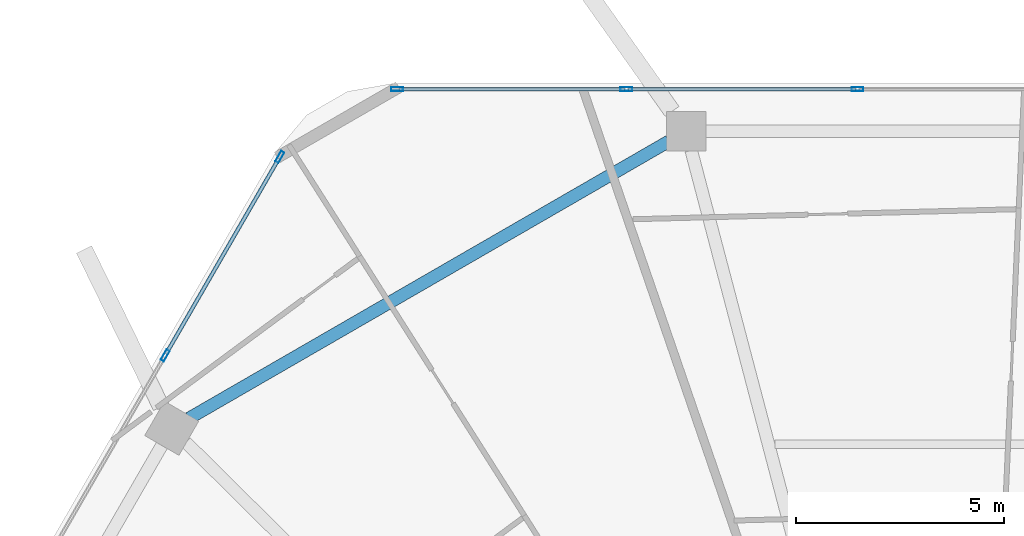
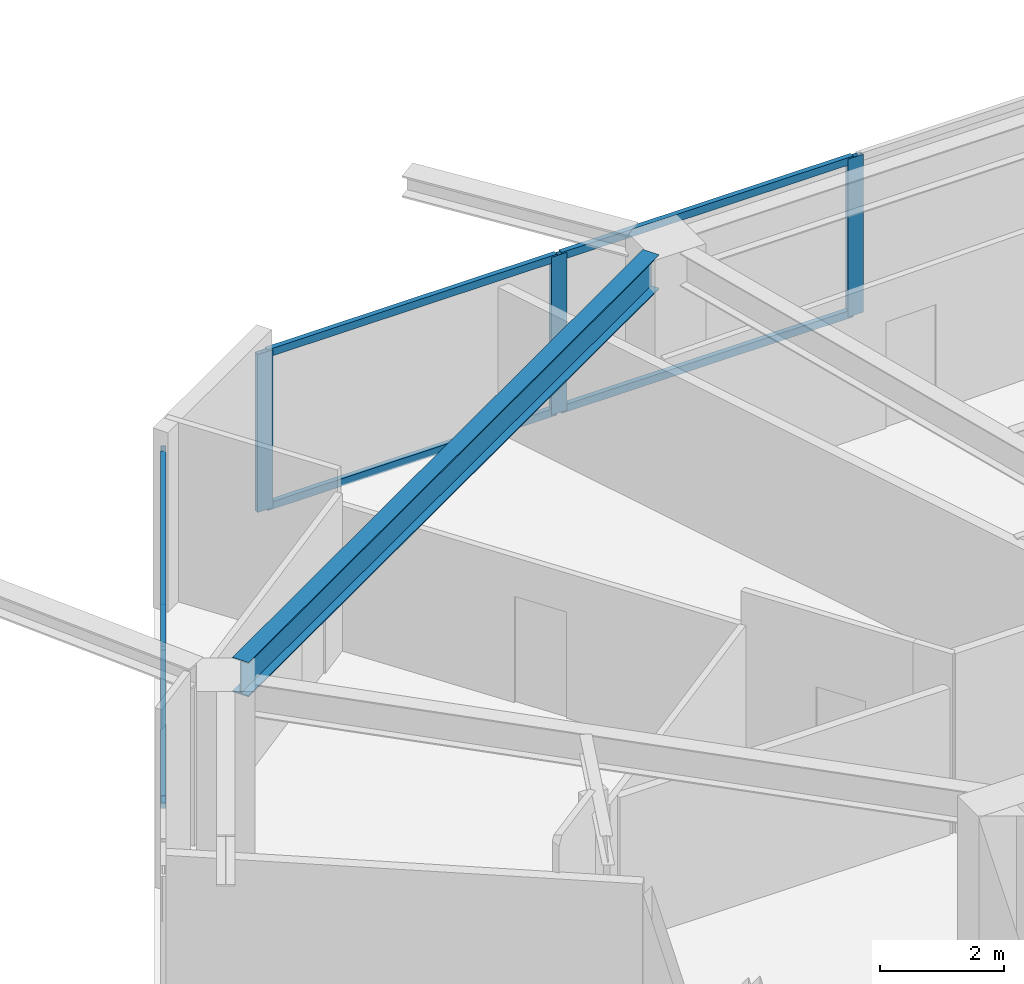
# One storey, part 13 of 26: 11 members, 1 beam, 2 elements without a shape of their own.
"""IFC4 building model written with IfcOpenShell, lengths in metres."""

from ifc_helpers import new_model, si_unit, direction, frame, origin, origin_2d, place, context, subcontext, project, spatial, hollow_rectangle, i_section, extrude, material, material_profile, profile_set, type_object, element, aggregate, save


model = new_model("IFC4")

# Units and contexts
model_context = context("Model", 3, precision=1e-05, world=origin(), true_north=direction((0.0, 1.0)))
body_context = subcontext(model_context, "Body", "Model", "MODEL_VIEW")
ifc_project = project(units=[si_unit("LENGTHUNIT", "METRE"), si_unit("AREAUNIT", "SQUARE_METRE"), si_unit("VOLUMEUNIT", "CUBIC_METRE"), si_unit("PLANEANGLEUNIT", "RADIAN"), si_unit("MASSUNIT", "GRAM", prefix="KILO")], contexts=[model_context])

# Site, building, storey
site_placement = place(None, origin())
site = spatial("IfcSite", under=ifc_project, at=site_placement, CompositionType="ELEMENT")
building_placement = place(site_placement, origin())
building = spatial("IfcBuilding", under=site, at=building_placement, Name="Zuhravey Tower", CompositionType="ELEMENT")
storey_placement = place(building_placement, frame((0.0, 0.0, 203.60009765625)))
storey = spatial("IfcBuildingStorey", under=building, at=storey_placement, Name="L51", CompositionType="ELEMENT", Elevation=203.60009765625)

# Curtain wall, members
ifc_material_1 = material(Name="Thermally broken anodised aluminium", Category="aluminium")
curtain_wall_type = type_object("IfcCurtainWallType", Name="Zone 1-2 Residential Curtain Wall CW3", PredefinedType="NOTDEFINED", material=ifc_material_1)
curtain_wall_1_placement = place(storey_placement, origin())
curtain_wall_1 = element("IfcCurtainWall", 1, at=curtain_wall_1_placement, inside=storey, type_object=curtain_wall_type, Name="L51 CW3 CW-L51-F3-1", PredefinedType="NOTDEFINED")
ifc_material_2 = material(Name="Anodised aluminium", Category="aluminium")
ifc_material_profile_1 = material_profile(ifc_material_2, hollow_rectangle(XDim=0.090087890625, YDim=0.284912109375, WallThickness=0.0048828125, at=origin_2d()), Name="ALU-RHS-90x285x5")
ifc_profile_set_1 = profile_set([ifc_material_profile_1], Name="Anodised aluminium")
member_type_1 = type_object("IfcMemberType", Name="Curtain-Wall Mullion 90x180", PredefinedType="MULLION", material=ifc_profile_set_1)
member_1_placement = place(storey_placement, frame((16.6171875, 52.7939453125, 0.0), z_axis=(0.0, 0.0, 1.0), x_axis=(-0.866025138215, 0.500000459979, 0.0)))
member_1 = element("IfcMember", 2, at=member_1_placement, type_object=member_type_1, Name="CW3 mullion 5", PredefinedType="MULLION", context=body_context, shape_type="SweptSolid", body=[
    extrude(hollow_rectangle(XDim=0.090087890625, YDim=0.284912109375, WallThickness=0.0048828125, at=origin_2d()), origin(), (0.0, 0.0, 1.0), 3.121826171875),
])
member_2_placement = place(storey_placement, frame((19.36669921875, 57.556640625, 0.0), z_axis=(0.0, 0.0, 1.0), x_axis=(-0.866025138215, 0.500000459979, 0.0)))
member_2 = element("IfcMember", 3, at=member_2_placement, type_object=member_type_1, Name="CW3 mullion 6", PredefinedType="MULLION", context=body_context, shape_type="SweptSolid", body=[
    extrude(hollow_rectangle(XDim=0.090087890625, YDim=0.284912109375, WallThickness=0.0048828125, at=origin_2d()), origin(), (0.0, 0.0, 1.0), 3.121826171875),
])

curtain_wall_2_placement = place(storey_placement, origin())
curtain_wall_2 = element("IfcCurtainWall", 4, at=curtain_wall_2_placement, inside=storey, type_object=curtain_wall_type, Name="L51 CW3 CW-L51-F2-1", PredefinedType="NOTDEFINED")
member_3_placement = place(storey_placement, frame((22.183837890625, 59.18310546875, 0.0), z_axis=(0.0, 0.0, 1.0), x_axis=(0.0, 1.0, 0.0)))
member_3 = element("IfcMember", 5, at=member_3_placement, type_object=member_type_1, Name="CW3 mullion 1", PredefinedType="MULLION", context=body_context, shape_type="SweptSolid", body=[
    extrude(hollow_rectangle(XDim=0.090087890625, YDim=0.284912109375, WallThickness=0.0048828125, at=origin_2d()), origin(), (0.0, 0.0, 1.0), 3.121826171875),
])
member_4_placement = place(storey_placement, frame((27.683349609375, 59.18310546875, 0.0), z_axis=(0.0, 0.0, 1.0), x_axis=(0.0, 1.0, 0.0)))
member_4 = element("IfcMember", 6, at=member_4_placement, type_object=member_type_1, Name="CW3 mullion 2", PredefinedType="MULLION", context=body_context, shape_type="SweptSolid", body=[
    extrude(hollow_rectangle(XDim=0.090087890625, YDim=0.284912109375, WallThickness=0.0048828125, at=origin_2d()), origin(), (0.0, 0.0, 1.0), 3.121826171875),
])
member_5_placement = place(storey_placement, frame((33.227783203125, 59.18310546875, 0.0), z_axis=(0.0, 0.0, 1.0), x_axis=(0.0, 1.0, 0.0)))
member_5 = element("IfcMember", 7, at=member_5_placement, type_object=member_type_1, Name="CW3 mullion 3", PredefinedType="MULLION", context=body_context, shape_type="SweptSolid", body=[
    extrude(hollow_rectangle(XDim=0.090087890625, YDim=0.284912109375, WallThickness=0.0048828125, at=origin_2d()), origin(), (0.0, 0.0, 1.0), 3.121826171875),
])

# Member
ifc_material_profile_2 = material_profile(ifc_material_2, hollow_rectangle(XDim=0.090087890625, YDim=0.14990234375, WallThickness=0.0048828125, at=origin_2d()), Name="ALU-RHS-90x150x5")
ifc_profile_set_2 = profile_set([ifc_material_profile_2], Name="Anodised aluminium")
member_type_2 = type_object("IfcMemberType", Name="Curtain-Wall Transom 90x150", PredefinedType="USERDEFINED", material=ifc_profile_set_2)
member_6_placement = place(storey_placement, frame((16.6396484375, 52.8330078125, 0.044921875), z_axis=(0.499993332629, 0.866029253159, 0.0), x_axis=(-0.866029253159, 0.499993332629, 0.0)))
member_6 = element("IfcMember", 8, at=member_6_placement, type_object=member_type_2, Name="CW3 transom 5.1", ObjectType="TRANSOM", PredefinedType="USERDEFINED", context=body_context, shape_type="SweptSolid", body=[
    extrude(hollow_rectangle(XDim=0.090087890625, YDim=0.14990234375, WallThickness=0.0048828125, at=origin_2d()), origin(), (0.0, 0.0, 1.0), 5.4091796875),
])

member_7_placement = place(storey_placement, frame((16.6396484375, 52.8330078125, 3.076904296875), z_axis=(0.499993332629, 0.866029253159, 0.0), x_axis=(-0.866029253159, 0.499993332629, 0.0)))
member_7 = element("IfcMember", 9, at=member_7_placement, type_object=member_type_2, Name="CW3 transom 5.2", ObjectType="TRANSOM", PredefinedType="USERDEFINED", context=body_context, shape_type="SweptSolid", body=[
    extrude(hollow_rectangle(XDim=0.090087890625, YDim=0.14990234375, WallThickness=0.0048828125, at=origin_2d()), origin(), (0.0, 0.0, 1.0), 5.4091796875),
])

aggregate(curtain_wall_1, [member_1, member_2, member_6, member_7])

member_8_placement = place(storey_placement, frame((22.22900390625, 59.18310546875, 0.044921875), z_axis=(1.0, 0.0, 0.0), x_axis=(0.0, 1.0, 0.0)))
member_8 = element("IfcMember", 10, at=member_8_placement, type_object=member_type_2, Name="CW3 transom 1.1", ObjectType="TRANSOM", PredefinedType="USERDEFINED", context=body_context, shape_type="SweptSolid", body=[
    extrude(hollow_rectangle(XDim=0.090087890625, YDim=0.14990234375, WallThickness=0.0048828125, at=origin_2d()), origin(), (0.0, 0.0, 1.0), 5.409423828125),
])

member_9_placement = place(storey_placement, frame((22.22900390625, 59.18310546875, 3.076904296875), z_axis=(1.0, 0.0, 0.0), x_axis=(0.0, 1.0, 0.0)))
member_9 = element("IfcMember", 11, at=member_9_placement, type_object=member_type_2, Name="CW3 transom 1.2", ObjectType="TRANSOM", PredefinedType="USERDEFINED", context=body_context, shape_type="SweptSolid", body=[
    extrude(hollow_rectangle(XDim=0.090087890625, YDim=0.14990234375, WallThickness=0.0048828125, at=origin_2d()), origin(), (0.0, 0.0, 1.0), 5.409423828125),
])

member_10_placement = place(storey_placement, frame((27.728271484375, 59.18310546875, 0.044921875), z_axis=(1.0, 0.0, 0.0), x_axis=(0.0, 1.0, 0.0)))
member_10 = element("IfcMember", 12, at=member_10_placement, type_object=member_type_2, Name="CW3 transom 2.1", ObjectType="TRANSOM", PredefinedType="USERDEFINED", context=body_context, shape_type="SweptSolid", body=[
    extrude(hollow_rectangle(XDim=0.090087890625, YDim=0.14990234375, WallThickness=0.0048828125, at=origin_2d()), origin(), (0.0, 0.0, 1.0), 5.45458984375),
])

member_11_placement = place(storey_placement, frame((27.728271484375, 59.18310546875, 3.076904296875), z_axis=(1.0, 0.0, 0.0), x_axis=(0.0, 1.0, 0.0)))
member_11 = element("IfcMember", 13, at=member_11_placement, type_object=member_type_2, Name="CW3 transom 2.2", ObjectType="TRANSOM", PredefinedType="USERDEFINED", context=body_context, shape_type="SweptSolid", body=[
    extrude(hollow_rectangle(XDim=0.090087890625, YDim=0.14990234375, WallThickness=0.0048828125, at=origin_2d()), origin(), (0.0, 0.0, 1.0), 5.45458984375),
])

aggregate(curtain_wall_2, [member_3, member_4, member_5, member_8, member_9, member_10, member_11])

# Beam
ifc_material_3 = material(Name="Steel SM355", Category="steel")
ifc_material_profile_3 = material_profile(ifc_material_3, i_section(OverallWidth=0.300048828125, OverallDepth=0.679931640625, WebThickness=0.012939453125, FlangeThickness=0.02197265625, at=origin_2d()), Name="H-680x300x13x22")
ifc_profile_set_3 = profile_set([ifc_material_profile_3], Name="Steel SM355")
beam_type = type_object("IfcBeamType", Name="Perimeter Ring Beam H680x300", PredefinedType="BEAM", material=ifc_profile_set_3)
beam_placement = place(storey_placement, frame((28.7041015625, 57.93408203125, 3.2099609375), z_axis=(-0.866029041019, -0.499993700073, 0.0), x_axis=(0.499993700073, -0.866029041019, 0.0)))
element("IfcBeam", 14, at=beam_placement, inside=storey, type_object=beam_type, Name="L51 PB2 BM-L51-PB-04", PredefinedType="BEAM", context=body_context, shape_type="SweptSolid", body=[
    extrude(i_section(OverallWidth=0.300048828125, OverallDepth=0.679931640625, WebThickness=0.012939453125, FlangeThickness=0.02197265625, at=origin_2d()), origin(), (0.0, 0.0, 1.0), 13.297119140625),
])

save(model, "model.ifc")
